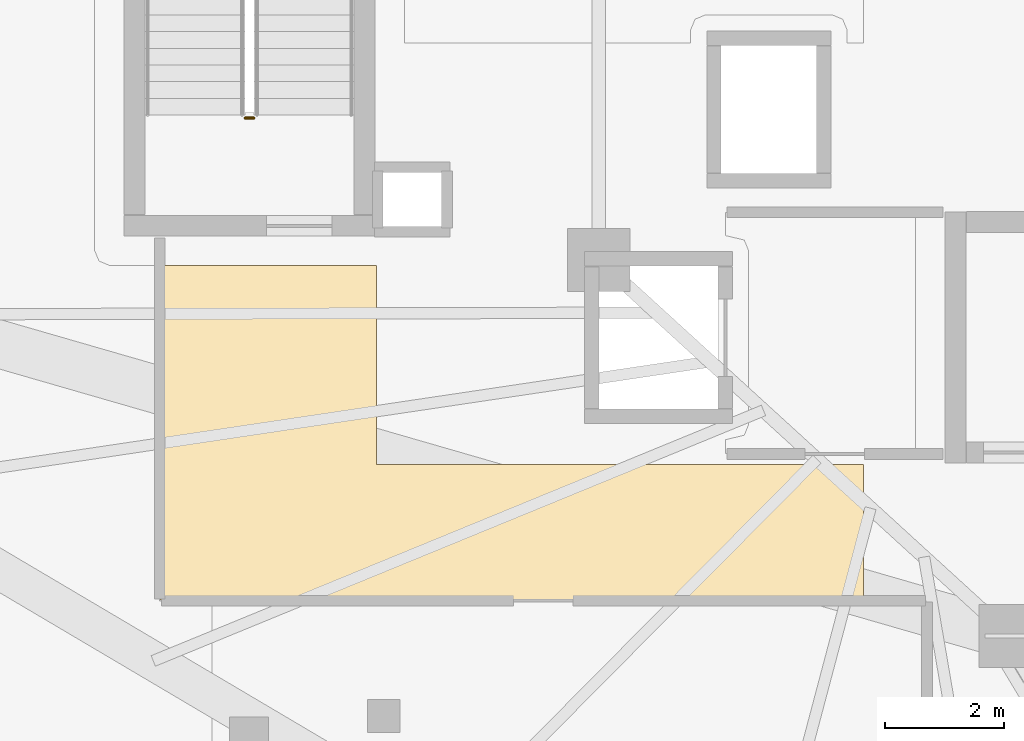
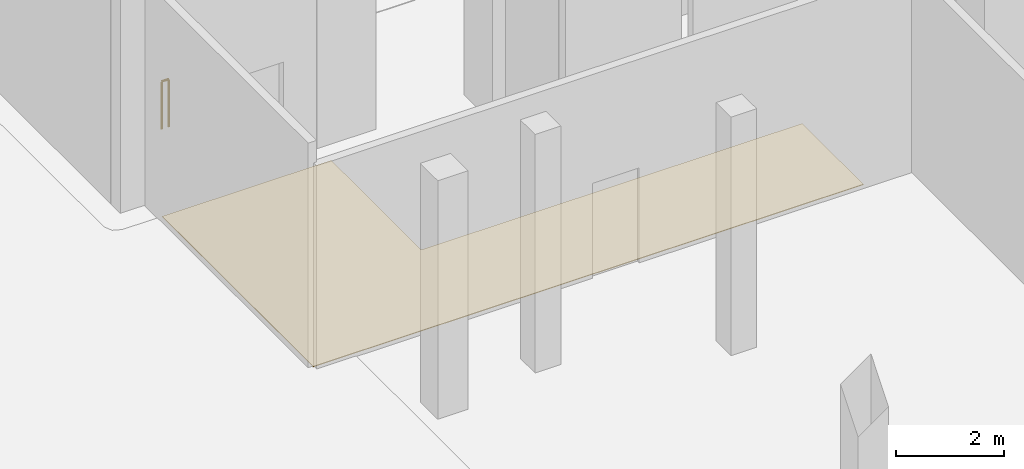
# One storey, part 8 of 12: 1 covering, 1 railing.
"""IFC4 building model written with IfcOpenShell, lengths in metres."""

from ifc_helpers import new_model, si_unit, direction, frame, origin, origin_2d, place, context, subcontext, project, spatial, polyline, circle, outline, extrude, material, layer, layer_set, type_object, element, save


model = new_model("IFC4")

# Units and contexts
model_context = context("Model", 3, precision=1e-05, world=origin(), true_north=direction((0.0, 1.0)))
body_context = subcontext(model_context, "Body", "Model", "MODEL_VIEW")
ifc_project = project(units=[si_unit("LENGTHUNIT", "METRE"), si_unit("AREAUNIT", "SQUARE_METRE"), si_unit("VOLUMEUNIT", "CUBIC_METRE"), si_unit("PLANEANGLEUNIT", "RADIAN"), si_unit("MASSUNIT", "GRAM", prefix="KILO")], contexts=[model_context])

# Site, building, storey
site_placement = place(None, origin())
site = spatial("IfcSite", under=ifc_project, at=site_placement, CompositionType="ELEMENT")
building_placement = place(site_placement, origin())
building = spatial("IfcBuilding", under=site, at=building_placement, Name="Qorvath Tower", CompositionType="ELEMENT")
storey_placement = place(building_placement, frame((0.0, 0.0, 99.60009765625)))
storey = spatial("IfcBuildingStorey", under=building, at=storey_placement, Name="L22", CompositionType="ELEMENT", Elevation=99.60009765625)

# Covering
ifc_material_1 = material(Name="Polished epoxy terrazzo flooring", Category="concrete")
ifc_layer = layer(ifc_material_1, 0.02001953125)
ifc_layer_set = layer_set([ifc_layer], Name="COV-FLOOR-TRZ")
covering_type = type_object("IfcCoveringType", Name="COV-FLOOR-TRZ", PredefinedType="FLOORING", material=ifc_layer_set)
covering_placement = place(storey_placement, origin())
element("IfcCovering", 1, at=covering_placement, inside=storey, type_object=covering_type, Name="L22 Floor Finish 003", PredefinedType="FLOORING", context=body_context, shape_type="SweptSolid", body=[
    extrude(outline(polyline([(-34.22509765625, -8.580078125), (-34.22509765625, -5.239990234375), (-37.844970703125, -5.239990234375), (-37.844970703125, -10.844970703125), (-26.06494140625, -10.844970703125), (-26.06494140625, -8.57470703125), (-34.22509765625, -8.580078125)])), origin(), (0.0, 0.0, 1.0), 0.014892578125),
])

# Railing
ifc_material_2 = material(Name="Painted galvanised steel", Category="steel")
railing_type = type_object("IfcRailingType", Name="RL-STR-GRD", PredefinedType="GUARDRAIL", material=ifc_material_2)
railing_placement = place(storey_placement, frame((-36.280029296875, -2.77001953125, 0.0)))
element("IfcRailing", 2, at=railing_placement, inside=storey, type_object=railing_type, Name="L22 TS3 stair guard 4", PredefinedType="GUARDRAIL", context=body_context, shape_type="SweptSolid", body=[
    extrude(circle(Radius=0.02392578125, at=origin_2d()), frame((0.0, 0.0, 1.076171875), z_axis=(-1.0, 0.0, 0.0), x_axis=(0.0, -1.0, 0.0)), (0.0, 0.0, 1.0), 0.14990234375),
    extrude(circle(Radius=0.02099609375, at=origin_2d()), origin(), (0.0, 0.0, 1.0), 1.052001953125),
    extrude(circle(Radius=0.02099609375, at=origin_2d()), frame((-0.14990234375, 0.0, 0.0)), (0.0, 0.0, 1.0), 1.052001953125),
])

save(model, "model.ifc")
